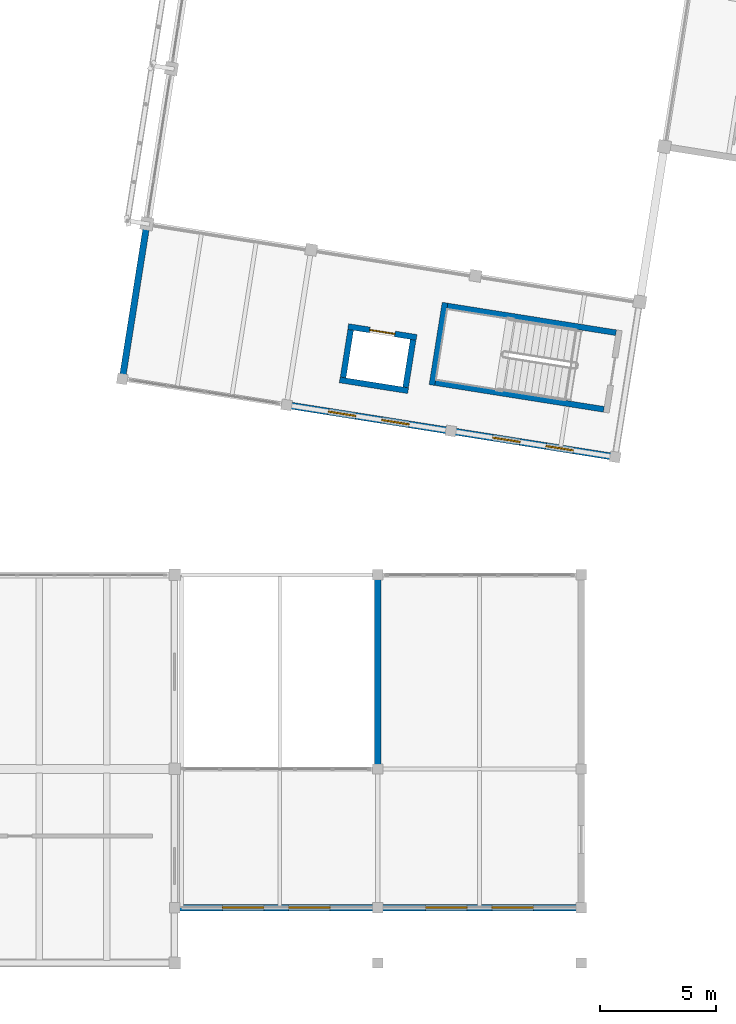
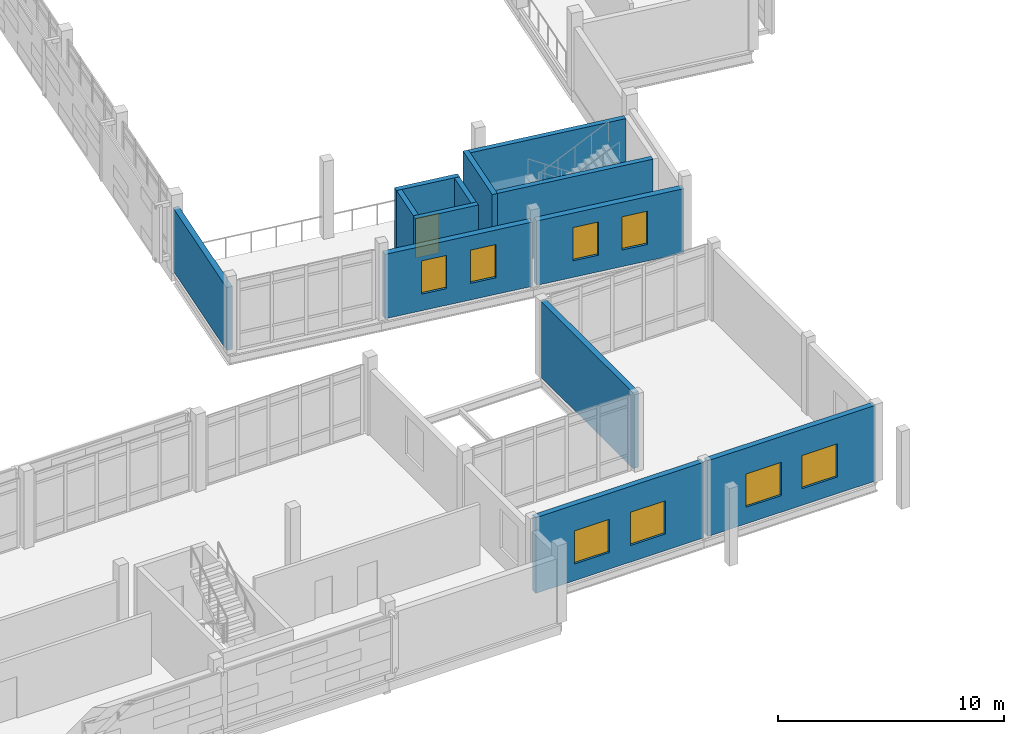
# One storey, part 108 of 137: 13 walls, 8 windows, 1 door, 9 openings.
"""IFC4 building model written with IfcOpenShell, lengths in metres."""

from ifc_helpers import new_model, si_unit, direction, frame, frame_2d, origin, place, context, subcontext, project, spatial, rectangle, extrude, material, layer, layer_set, type_object, element, fill, save


model = new_model("IFC4")

# Units and contexts
model_context = context("Model", 3, precision=1e-05, world=origin(), true_north=direction((0.0, 1.0)))
body_context = subcontext(model_context, "Body", "Model", "MODEL_VIEW")
ifc_project = project(units=[si_unit("LENGTHUNIT", "METRE"), si_unit("AREAUNIT", "SQUARE_METRE"), si_unit("VOLUMEUNIT", "CUBIC_METRE"), si_unit("PLANEANGLEUNIT", "RADIAN"), si_unit("MASSUNIT", "GRAM", prefix="KILO")], contexts=[model_context])

# Site, building, storey
site_placement = place(None, origin())
site = spatial("IfcSite", under=ifc_project, at=site_placement, CompositionType="ELEMENT")
building_placement = place(site_placement, origin())
building = spatial("IfcBuilding", under=site, at=building_placement, Name="Cinderway Yard Community Centre", CompositionType="ELEMENT")
storey_placement = place(building_placement, frame((0.0, 0.0, 4.800048828125)))
storey = spatial("IfcBuildingStorey", under=building, at=storey_placement, Name="L01", CompositionType="ELEMENT", Elevation=4.800048828125)

# Wall
ifc_material_1 = material(Name="Concrete C35/45", Category="concrete")
ifc_layer_1 = layer(ifc_material_1, 0.280029296875, Name="Concrete C35/45")
ifc_layer_set_1 = layer_set([ifc_layer_1], Name="Concrete C35/45")
wall_type_1 = type_object("IfcWallType", Name="ENV-WAL-EXT280", PredefinedType="SOLIDWALL", material=ifc_layer_set_1)
wall_1_placement = place(storey_placement, frame((116.948974609375, 31.363037109375, 0.0), z_axis=(0.0, 0.0, 1.0), x_axis=(0.156349649217, 0.987701770369, 0.0)))
element("IfcWall", 1, at=wall_1_placement, inside=storey, type_object=wall_type_1, Name="Sports Return Wall ENV-WAL-L01-0072", PredefinedType="SOLIDWALL", context=body_context, shape_type="SweptSolid", body=[
    extrude(rectangle(XDim=6.639404296875, YDim=0.280029296875, at=frame_2d((3.31982421875, 0.0))), origin(), (0.0, 0.0, 1.0), 3.406005859375),
])

# Wall, openings, windows
wall_2_placement = place(storey_placement, frame((119.300048828125, 8.39990234375, 0.0), z_axis=(0.0, 0.0, 1.0), x_axis=(1.0, 0.0, 0.0)))
wall_2 = element("IfcWall", 2, at=wall_2_placement, inside=storey, type_object=wall_type_1, Name="East Arcade Inner Portal Wall ENV-WAL-L01-0238", PredefinedType="SOLIDWALL", context=body_context, shape_type="SweptSolid", body=[
    extrude(rectangle(XDim=8.599853515625, YDim=0.280029296875, at=frame_2d((4.2998046875, 0.0))), origin(), (0.0, 0.0, 1.0), 4.099853515625),
])
opening_1_placement = place(wall_2_placement, frame((1.967041015625, 0.0, 0.89990234375)))
opening_1 = element("IfcOpeningElement", 3, at=opening_1_placement, cuts=wall_2, Name="Opening W-08", PredefinedType="OPENING", context=body_context, shape_type="SweptSolid", body=[
    extrude(rectangle(XDim=1.800048828125, YDim=1.800048828125, at=frame_2d((0.89990234375, 0.89990234375))), frame((0.0, 0.14990234375, 0.0), z_axis=(0.0, -1.0, 0.0), x_axis=(1.0, 0.0, 0.0)), (0.0, 0.0, 1.0), 0.300048828125),
])
opening_2_placement = place(wall_2_placement, frame((4.8330078125, 0.0, 0.89990234375)))
opening_2 = element("IfcOpeningElement", 4, at=opening_2_placement, cuts=wall_2, Name="Opening W-08", PredefinedType="OPENING", context=body_context, shape_type="SweptSolid", body=[
    extrude(rectangle(XDim=1.800048828125, YDim=1.800048828125, at=frame_2d((0.89990234375, 0.89990234375))), frame((0.0, 0.14990234375, 0.0), z_axis=(0.0, -1.0, 0.0), x_axis=(1.0, 0.0, 0.0)), (0.0, 0.0, 1.0), 0.300048828125),
])
ifc_material_2 = material(Name="Laminated Low-E Glass", Category="glass")
window_type_1 = type_object("IfcWindowType", Name="ENV-WIN-W08", PartitioningType="DOUBLE_PANEL_VERTICAL", PredefinedType="WINDOW", material=ifc_material_2)
window_1_placement = place(opening_1_placement, origin())
window_1 = element("IfcWindow", 5, at=window_1_placement, inside=storey, type_object=window_type_1, Name="Exterior window ENV-WIN-L01-0114", OverallHeight=1.800048828125, OverallWidth=1.800048828125, PartitioningType="SINGLE_PANEL", PredefinedType="WINDOW", context=body_context, shape_type="SweptSolid", body=[
    extrude(rectangle(XDim=1.800048828125, YDim=1.800048828125, at=frame_2d((0.89990234375, 0.89990234375))), frame((0.0, 0.030029296875, 0.0), z_axis=(0.0, -1.0, 0.0), x_axis=(1.0, 0.0, 0.0)), (0.0, 0.0, 1.0), 0.06005859375),
])
fill(opening_1, window_1)
window_2_placement = place(opening_2_placement, origin())
window_2 = element("IfcWindow", 6, at=window_2_placement, inside=storey, type_object=window_type_1, Name="Exterior window ENV-WIN-L01-0115", OverallHeight=1.800048828125, OverallWidth=1.800048828125, PartitioningType="SINGLE_PANEL", PredefinedType="WINDOW", context=body_context, shape_type="SweptSolid", body=[
    extrude(rectangle(XDim=1.800048828125, YDim=1.800048828125, at=frame_2d((0.89990234375, 0.89990234375))), frame((0.0, 0.030029296875, 0.0), z_axis=(0.0, -1.0, 0.0), x_axis=(1.0, 0.0, 0.0)), (0.0, 0.0, 1.0), 0.06005859375),
])
fill(opening_2, window_2)

wall_3_placement = place(storey_placement, frame((128.10009765625, 8.39990234375, 0.0), z_axis=(0.0, 0.0, 1.0), x_axis=(1.0, 0.0, 0.0)))
wall_3 = element("IfcWall", 7, at=wall_3_placement, inside=storey, type_object=wall_type_1, Name="East Arcade Inner Portal Wall ENV-WAL-L01-0239", PredefinedType="SOLIDWALL", context=body_context, shape_type="SweptSolid", body=[
    extrude(rectangle(XDim=8.599853515625, YDim=0.280029296875, at=frame_2d((4.2998046875, 0.0))), origin(), (0.0, 0.0, 1.0), 4.099853515625),
])
opening_3_placement = place(wall_3_placement, frame((1.967041015625, 0.0, 0.89990234375)))
opening_3 = element("IfcOpeningElement", 8, at=opening_3_placement, cuts=wall_3, Name="Opening W-08", PredefinedType="OPENING", context=body_context, shape_type="SweptSolid", body=[
    extrude(rectangle(XDim=1.800048828125, YDim=1.800048828125, at=frame_2d((0.89990234375, 0.89990234375))), frame((0.0, 0.14990234375, 0.0), z_axis=(0.0, -1.0, 0.0), x_axis=(1.0, 0.0, 0.0)), (0.0, 0.0, 1.0), 0.300048828125),
])
opening_4_placement = place(wall_3_placement, frame((4.8330078125, 0.0, 0.89990234375)))
opening_4 = element("IfcOpeningElement", 9, at=opening_4_placement, cuts=wall_3, Name="Opening W-08", PredefinedType="OPENING", context=body_context, shape_type="SweptSolid", body=[
    extrude(rectangle(XDim=1.800048828125, YDim=1.800048828125, at=frame_2d((0.89990234375, 0.89990234375))), frame((0.0, 0.14990234375, 0.0), z_axis=(0.0, -1.0, 0.0), x_axis=(1.0, 0.0, 0.0)), (0.0, 0.0, 1.0), 0.300048828125),
])
window_3_placement = place(opening_3_placement, origin())
window_3 = element("IfcWindow", 10, at=window_3_placement, inside=storey, type_object=window_type_1, Name="Exterior window ENV-WIN-L01-0116", OverallHeight=1.800048828125, OverallWidth=1.800048828125, PartitioningType="SINGLE_PANEL", PredefinedType="WINDOW", context=body_context, shape_type="SweptSolid", body=[
    extrude(rectangle(XDim=1.800048828125, YDim=1.800048828125, at=frame_2d((0.89990234375, 0.89990234375))), frame((0.0, 0.030029296875, 0.0), z_axis=(0.0, -1.0, 0.0), x_axis=(1.0, 0.0, 0.0)), (0.0, 0.0, 1.0), 0.06005859375),
])
fill(opening_3, window_3)
window_4_placement = place(opening_4_placement, origin())
window_4 = element("IfcWindow", 11, at=window_4_placement, inside=storey, type_object=window_type_1, Name="Exterior window ENV-WIN-L01-0117", OverallHeight=1.800048828125, OverallWidth=1.800048828125, PartitioningType="SINGLE_PANEL", PredefinedType="WINDOW", context=body_context, shape_type="SweptSolid", body=[
    extrude(rectangle(XDim=1.800048828125, YDim=1.800048828125, at=frame_2d((0.89990234375, 0.89990234375))), frame((0.0, 0.030029296875, 0.0), z_axis=(0.0, -1.0, 0.0), x_axis=(1.0, 0.0, 0.0)), (0.0, 0.0, 1.0), 0.06005859375),
])
fill(opening_4, window_4)

# Wall
wall_4_placement = place(storey_placement, frame((128.0, 14.449951171875, 0.0), z_axis=(0.0, 0.0, 1.0), x_axis=(0.0, 1.0, 0.0)))
element("IfcWall", 12, at=wall_4_placement, inside=storey, type_object=wall_type_1, Name="East Arcade Flank Wall ENV-WAL-L01-0240", PredefinedType="SOLIDWALL", context=body_context, shape_type="SweptSolid", body=[
    extrude(rectangle(XDim=8.199951171875, YDim=0.280029296875, at=frame_2d((4.10009765625, 0.0))), origin(), (0.0, 0.0, 1.0), 4.099853515625),
])

# Wall, openings, windows
ifc_material_3 = material(Name="Brick Masonry", Category="masonry")
ifc_layer_2 = layer(ifc_material_3, 0.300048828125, Name="Brick Masonry")
ifc_layer_set_2 = layer_set([ifc_layer_2], Name="Brick Masonry")
wall_type_2 = type_object("IfcWallType", Name="ENV-WAL-EXT300", PredefinedType="SOLIDWALL", material=ifc_layer_set_2)
wall_5_placement = place(storey_placement, frame((124.14599609375, 30.14208984375, 0.0), z_axis=(0.0, 0.0, 1.0), x_axis=(0.987690751091, -0.156419245009, 0.0)))
wall_5 = element("IfcWall", 13, at=wall_5_placement, inside=storey, type_object=wall_type_2, Name="Sports South Brick Wall ENV-WAL-L01-0065", PredefinedType="SOLIDWALL", context=body_context, shape_type="SweptSolid", body=[
    extrude(rectangle(XDim=7.000244140625, YDim=0.300048828125, at=frame_2d((3.5, 0.0))), origin(), (0.0, 0.0, 1.0), 3.48486328125),
])
opening_5_placement = place(wall_5_placement, frame((1.73291015625, 0.0, 0.89990234375)))
opening_5 = element("IfcOpeningElement", 14, at=opening_5_placement, cuts=wall_5, Name="Opening W-06", PredefinedType="OPENING", context=body_context, shape_type="SweptSolid", body=[
    extrude(rectangle(XDim=1.199951171875, YDim=1.800048828125, at=frame_2d((0.60009765625, 0.89990234375))), frame((0.0, 0.159912109375, 0.0), z_axis=(0.0, -1.0, 0.0), x_axis=(1.0, 0.0, 0.0)), (0.0, 0.0, 1.0), 0.320068359375),
])
opening_6_placement = place(wall_5_placement, frame((4.06689453125, 0.0, 0.89990234375)))
opening_6 = element("IfcOpeningElement", 15, at=opening_6_placement, cuts=wall_5, Name="Opening W-06", PredefinedType="OPENING", context=body_context, shape_type="SweptSolid", body=[
    extrude(rectangle(XDim=1.199951171875, YDim=1.800048828125, at=frame_2d((0.60009765625, 0.89990234375))), frame((0.0, 0.159912109375, 0.0), z_axis=(0.0, -1.0, 0.0), x_axis=(1.0, 0.0, 0.0)), (0.0, 0.0, 1.0), 0.320068359375),
])
window_type_2 = type_object("IfcWindowType", Name="ENV-WIN-W06", PartitioningType="SINGLE_PANEL", PredefinedType="WINDOW", material=ifc_material_2)
window_5_placement = place(opening_5_placement, origin())
window_5 = element("IfcWindow", 16, at=window_5_placement, inside=storey, type_object=window_type_2, Name="Exterior window ENV-WIN-L01-0043", OverallHeight=1.800048828125, OverallWidth=1.199951171875, PartitioningType="SINGLE_PANEL", PredefinedType="WINDOW", context=body_context, shape_type="SweptSolid", body=[
    extrude(rectangle(XDim=1.199951171875, YDim=1.800048828125, at=frame_2d((0.60009765625, 0.89990234375))), frame((0.0, 0.030029296875, 0.0), z_axis=(0.0, -1.0, 0.0), x_axis=(1.0, 0.0, 0.0)), (0.0, 0.0, 1.0), 0.06005859375),
])
fill(opening_5, window_5)
window_6_placement = place(opening_6_placement, origin())
window_6 = element("IfcWindow", 17, at=window_6_placement, inside=storey, type_object=window_type_2, Name="Exterior window ENV-WIN-L01-0044", OverallHeight=1.800048828125, OverallWidth=1.199951171875, PartitioningType="SINGLE_PANEL", PredefinedType="WINDOW", context=body_context, shape_type="SweptSolid", body=[
    extrude(rectangle(XDim=1.199951171875, YDim=1.800048828125, at=frame_2d((0.60009765625, 0.89990234375))), frame((0.0, 0.030029296875, 0.0), z_axis=(0.0, -1.0, 0.0), x_axis=(1.0, 0.0, 0.0)), (0.0, 0.0, 1.0), 0.06005859375),
])
fill(opening_6, window_6)

wall_6_placement = place(storey_placement, frame((131.258056640625, 29.014892578125, 0.0), z_axis=(0.0, 0.0, 1.0), x_axis=(0.987690751091, -0.156419245009, 0.0)))
wall_6 = element("IfcWall", 18, at=wall_6_placement, inside=storey, type_object=wall_type_2, Name="Sports South Brick Wall ENV-WAL-L01-0066", PredefinedType="SOLIDWALL", context=body_context, shape_type="SweptSolid", body=[
    extrude(rectangle(XDim=7.000244140625, YDim=0.300048828125, at=frame_2d((3.5, 0.0))), origin(), (0.0, 0.0, 1.0), 3.48486328125),
])
opening_7_placement = place(wall_6_placement, frame((1.73291015625, 0.0, 0.89990234375)))
opening_7 = element("IfcOpeningElement", 19, at=opening_7_placement, cuts=wall_6, Name="Opening W-06", PredefinedType="OPENING", context=body_context, shape_type="SweptSolid", body=[
    extrude(rectangle(XDim=1.199951171875, YDim=1.800048828125, at=frame_2d((0.60009765625, 0.89990234375))), frame((0.0, 0.159912109375, 0.0), z_axis=(0.0, -1.0, 0.0), x_axis=(1.0, 0.0, 0.0)), (0.0, 0.0, 1.0), 0.320068359375),
])
opening_8_placement = place(wall_6_placement, frame((4.06689453125, 0.0, 0.89990234375)))
opening_8 = element("IfcOpeningElement", 20, at=opening_8_placement, cuts=wall_6, Name="Opening W-06", PredefinedType="OPENING", context=body_context, shape_type="SweptSolid", body=[
    extrude(rectangle(XDim=1.199951171875, YDim=1.800048828125, at=frame_2d((0.60009765625, 0.89990234375))), frame((0.0, 0.159912109375, 0.0), z_axis=(0.0, -1.0, 0.0), x_axis=(1.0, 0.0, 0.0)), (0.0, 0.0, 1.0), 0.320068359375),
])
window_7_placement = place(opening_7_placement, origin())
window_7 = element("IfcWindow", 21, at=window_7_placement, inside=storey, type_object=window_type_2, Name="Exterior window ENV-WIN-L01-0045", OverallHeight=1.800048828125, OverallWidth=1.199951171875, PartitioningType="SINGLE_PANEL", PredefinedType="WINDOW", context=body_context, shape_type="SweptSolid", body=[
    extrude(rectangle(XDim=1.199951171875, YDim=1.800048828125, at=frame_2d((0.60009765625, 0.89990234375))), frame((0.0, 0.030029296875, 0.0), z_axis=(0.0, -1.0, 0.0), x_axis=(1.0, 0.0, 0.0)), (0.0, 0.0, 1.0), 0.06005859375),
])
fill(opening_7, window_7)
window_8_placement = place(opening_8_placement, origin())
window_8 = element("IfcWindow", 22, at=window_8_placement, inside=storey, type_object=window_type_2, Name="Exterior window ENV-WIN-L01-0046", OverallHeight=1.800048828125, OverallWidth=1.199951171875, PartitioningType="SINGLE_PANEL", PredefinedType="WINDOW", context=body_context, shape_type="SweptSolid", body=[
    extrude(rectangle(XDim=1.199951171875, YDim=1.800048828125, at=frame_2d((0.60009765625, 0.89990234375))), frame((0.0, 0.030029296875, 0.0), z_axis=(0.0, -1.0, 0.0), x_axis=(1.0, 0.0, 0.0)), (0.0, 0.0, 1.0), 0.06005859375),
])
fill(opening_8, window_8)

# Walls
ifc_material_4 = material(Name="Concrete C40/50", Category="concrete")
ifc_layer_3 = layer(ifc_material_4, 0.25, Name="Concrete C40/50")
ifc_layer_set_3 = layer_set([ifc_layer_3], Name="Concrete C40/50")
wall_type_3 = type_object("IfcWallType", Name="INT-WAL-SHR250", PredefinedType="SHEAR", material=ifc_layer_set_3)
wall_7_placement = place(storey_placement, frame((130.340087890625, 31.01904296875, 0.0), z_axis=(0.0, 0.0, 1.0), x_axis=(0.156518291279, 0.987675060177, 0.0)))
element("IfcWall", 23, at=wall_7_placement, inside=storey, type_object=wall_type_3, Name="Stair ST-07 Back Wall INT-WAL-L01-0166", PredefinedType="SHEAR", context=body_context, shape_type="SweptSolid", body=[
    extrude(rectangle(XDim=3.609375, YDim=0.25, at=frame_2d((1.8046875, 0.0))), origin(), (0.0, 0.0, 1.0), 3.9599609375),
])
for number, where, z_axis, x_axis, name in (
    (24, (137.781982421875, 29.967041015625, 0.0), (0.0, 0.0, 1.0), (-0.98768946156, 0.15642738738, 0.0), "Stair ST-07 Side Wall L INT-WAL-L01-0167"),
    (25, (131.009033203125, 34.44091796875, 0.0), (0.0, 0.0, 1.0), (0.98768946156, -0.15642738738, 0.0), "Stair ST-07 Side Wall R INT-WAL-L01-0168"),
):
    element("IfcWall", number, at=place(storey_placement, frame(where, z_axis=z_axis, x_axis=x_axis)), inside=storey, type_object=wall_type_3, Name=name, PredefinedType="SHEAR", context=body_context, shape_type="SweptSolid", body=[
        extrude(rectangle(XDim=7.39013671875, YDim=0.25, at=frame_2d((3.695068359375, 0.0))), origin(), (0.0, 0.0, 1.0), 3.9599609375),
    ])
wall_8_placement = place(storey_placement, frame((126.344970703125, 31.240966796875, 0.0), z_axis=(0.0, 0.0, 1.0), x_axis=(0.987712782959, -0.156280063921, 0.0)))
element("IfcWall", 26, at=wall_8_placement, inside=storey, type_object=wall_type_3, Name="Lift LF-04 South Wall INT-WAL-L01-0177", PredefinedType="SHEAR", context=body_context, shape_type="SweptSolid", body=[
    extrude(rectangle(XDim=3.0009765625, YDim=0.25, at=frame_2d((1.50048828125, 0.0))), origin(), (0.0, 0.0, 1.0), 3.9599609375),
])

# Wall, opening, door
wall_9_placement = place(storey_placement, frame((129.675048828125, 33.0830078125, 0.0), z_axis=(0.0, 0.0, 1.0), x_axis=(-0.987712782959, 0.156280063921, 0.0)))
wall_9 = element("IfcWall", 27, at=wall_9_placement, inside=storey, type_object=wall_type_3, Name="Lift LF-04 North Wall INT-WAL-L01-0178", PredefinedType="SHEAR", context=body_context, shape_type="SweptSolid", body=[
    extrude(rectangle(XDim=3.0009765625, YDim=0.25, at=frame_2d((1.50048828125, 0.0))), origin(), (0.0, 0.0, 1.0), 3.9599609375),
])
opening_9_placement = place(wall_9_placement, frame((0.949951171875, 0.0, 0.0)))
opening_9 = element("IfcOpeningElement", 28, at=opening_9_placement, cuts=wall_9, Name="Opening LD-01", PredefinedType="OPENING", context=body_context, shape_type="SweptSolid", body=[
    extrude(rectangle(XDim=1.10009765625, YDim=2.14990234375, at=frame_2d((0.550048828125, 1.074951171875))), frame((0.0, 0.135009765625, 0.0), z_axis=(0.0, -1.0, 0.0), x_axis=(1.0, 0.0, 0.0)), (0.0, 0.0, 1.0), 0.27001953125),
])
ifc_material_5 = material(Name="Painted Galvanised Steel", Category="steel")
door_type = type_object("IfcDoorType", Name="INT-DOR-LD01", OperationType="SLIDING_TO_LEFT", PredefinedType="DOOR", material=ifc_material_5)
door_placement = place(opening_9_placement, origin())
door = element("IfcDoor", 29, at=door_placement, inside=storey, type_object=door_type, Name="Lift landing door INT-DOR-L01-0048", OperationType="SLIDING_TO_LEFT", OverallHeight=2.14990234375, OverallWidth=1.10009765625, PredefinedType="DOOR", context=body_context, shape_type="SweptSolid", body=[
    extrude(rectangle(XDim=1.10009765625, YDim=2.14990234375, at=frame_2d((0.550048828125, 1.074951171875))), frame((0.0, 0.02490234375, 0.0), z_axis=(0.0, -1.0, 0.0), x_axis=(1.0, 0.0, 0.0)), (0.0, 0.0, 1.0), 0.050048828125),
])
fill(opening_9, door)

# Walls
wall_10_placement = place(storey_placement, frame((129.199951171875, 30.919921875, 0.0), z_axis=(0.0, 0.0, 1.0), x_axis=(0.156631300583, 0.987657144802, 0.0)))
element("IfcWall", 30, at=wall_10_placement, inside=storey, type_object=wall_type_3, Name="Lift LF-04 East Wall INT-WAL-L01-0179", PredefinedType="SHEAR", context=body_context, shape_type="SweptSolid", body=[
    extrude(rectangle(XDim=2.080810546875, YDim=0.25, at=frame_2d((1.04052734375, 0.0))), origin(), (0.0, 0.0, 1.0), 3.9599609375),
])
wall_11_placement = place(storey_placement, frame((126.820068359375, 33.404052734375, 0.0), z_axis=(0.0, 0.0, 1.0), x_axis=(-0.156763910722, -0.9876361052, 0.0)))
element("IfcWall", 31, at=wall_11_placement, inside=storey, type_object=wall_type_3, Name="Lift LF-04 West Wall INT-WAL-L01-0180", PredefinedType="SHEAR", context=body_context, shape_type="SweptSolid", body=[
    extrude(rectangle(XDim=2.08056640625, YDim=0.25, at=frame_2d((1.040283203125, 0.0))), origin(), (0.0, 0.0, 1.0), 3.9599609375),
])

save(model, "model.ifc")
